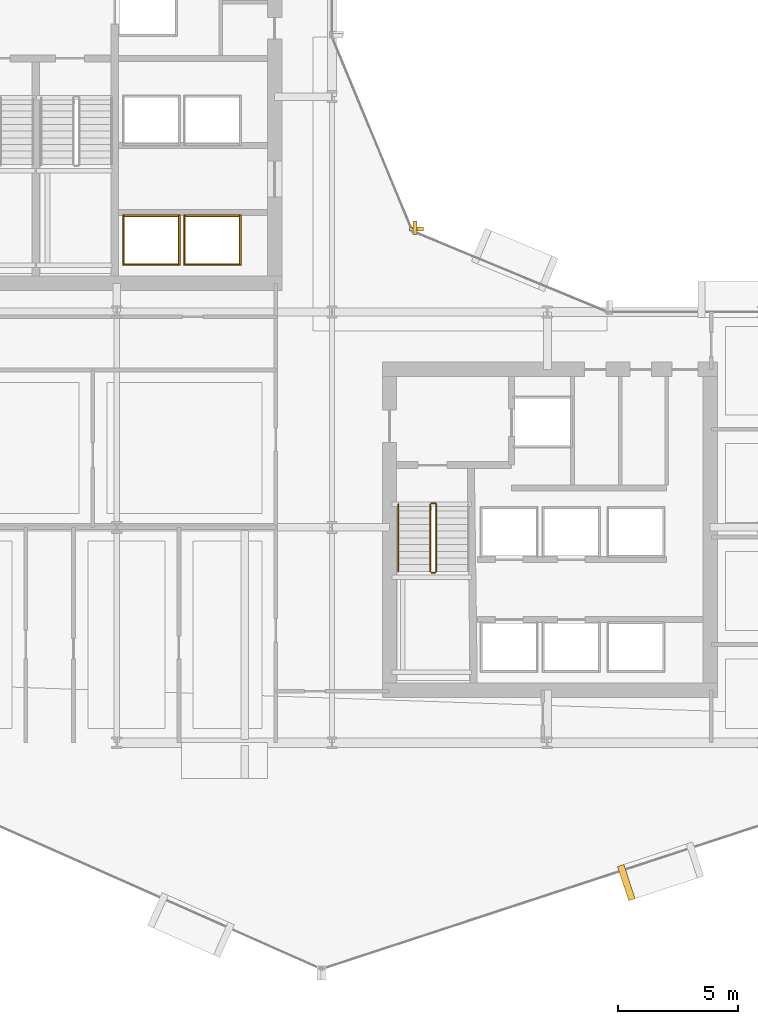
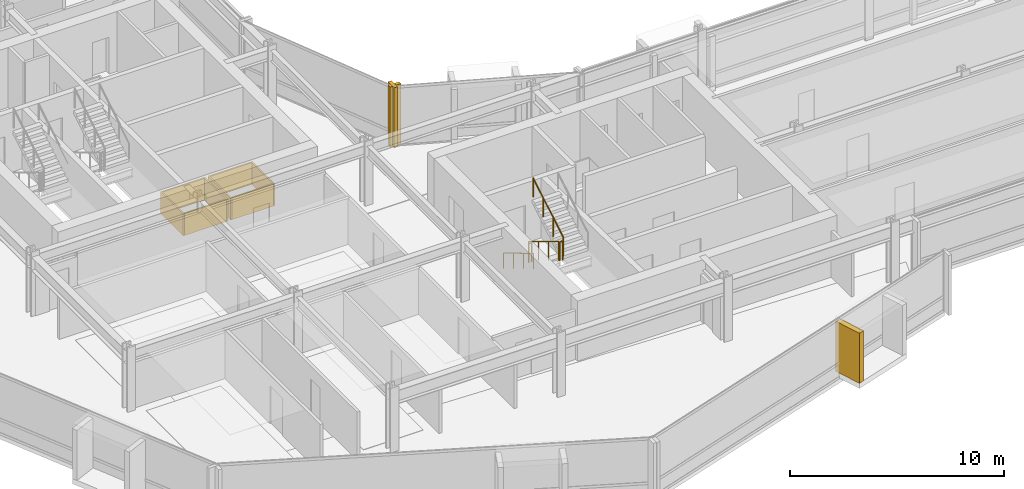
# One storey, part 31 of 34: 11 coverings, 5 railings.
"""IFC4 building model written with IfcOpenShell, lengths in metres."""

from ifc_helpers import new_model, si_unit, direction, frame, origin, origin_2d, place, context, subcontext, project, spatial, rectangle, circle, extrude, material, layer, layer_set, type_object, element, save


model = new_model("IFC4")

# Units and contexts
model_context = context("Model", 3, precision=1e-05, world=origin(), true_north=direction((0.0, 1.0)))
body_context = subcontext(model_context, "Body", "Model", "MODEL_VIEW")
ifc_project = project(units=[si_unit("LENGTHUNIT", "METRE"), si_unit("AREAUNIT", "SQUARE_METRE"), si_unit("VOLUMEUNIT", "CUBIC_METRE"), si_unit("PLANEANGLEUNIT", "RADIAN"), si_unit("MASSUNIT", "GRAM", prefix="KILO")], contexts=[model_context])

# Site, building, storey
site_placement = place(None, origin())
site = spatial("IfcSite", under=ifc_project, at=site_placement, CompositionType="ELEMENT")
building_placement = place(site_placement, origin())
building = spatial("IfcBuilding", under=site, at=building_placement, Name="Solvaryn Broadcast Tower", CompositionType="ELEMENT")
storey_placement = place(building_placement, frame((0.0, 0.0, 47.10009765625)))
storey = spatial("IfcBuildingStorey", under=building, at=storey_placement, Name="L10", CompositionType="ELEMENT", Elevation=47.10009765625)

# Coverings
ifc_material_1 = material(Name="Fire-Rated Gypsum Shaftwall Liner", Category="concrete")
ifc_layer_1 = layer(ifc_material_1, 0.080078125)
ifc_layer_set_1 = layer_set([ifc_layer_1], Name="CV-SHAFT-LINER")
covering_type_1 = type_object("IfcCoveringType", Name="CV-SHAFT-LINER", PredefinedType="CLADDING", material=ifc_layer_set_1)
for number, where, z_axis, x_axis, name in (
    (1, (19.449951171875, 31.014892578125, 0.0), (0.0, 0.0, 1.0), (1.0, 0.0, 0.0), "L10 PH1 Hoistway Shaft Liner North"),
    (2, (19.449951171875, 28.985107421875, 0.0), (0.0, 0.0, 1.0), (1.0, 0.0, 0.0), "L10 PH1 Hoistway Shaft Liner South"),
):
    element("IfcCovering", number, at=place(storey_placement, frame(where, z_axis=z_axis, x_axis=x_axis)), inside=storey, type_object=covering_type_1, Name=name, PredefinedType="CLADDING", context=body_context, shape_type="SweptSolid", body=[
        extrude(rectangle(XDim=2.409912109375, YDim=0.080078125, at=origin_2d()), origin(), (0.0, 0.0, 1.0), 1.25),
    ])
for number, where, z_axis, x_axis, name in (
    (3, (20.614990234375, 30.0, 0.0), (0.0, 0.0, 1.0), (1.0, 0.0, 0.0), "L10 PH1 Hoistway Shaft Liner East"),
    (4, (18.284912109375, 30.0, 0.0), (0.0, 0.0, 1.0), (1.0, 0.0, 0.0), "L10 PH1 Hoistway Shaft Liner West"),
):
    element("IfcCovering", number, at=place(storey_placement, frame(where, z_axis=z_axis, x_axis=x_axis)), inside=storey, type_object=covering_type_1, Name=name, PredefinedType="CLADDING", context=body_context, shape_type="SweptSolid", body=[
        extrude(rectangle(XDim=0.080078125, YDim=2.110107421875, at=origin_2d()), origin(), (0.0, 0.0, 1.0), 1.25),
    ])
for number, where, z_axis, x_axis, name in (
    (5, (22.0, 31.014892578125, 0.0), (0.0, 0.0, 1.0), (1.0, 0.0, 0.0), "L10 PH2 Hoistway Shaft Liner North"),
    (6, (22.0, 28.985107421875, 0.0), (0.0, 0.0, 1.0), (1.0, 0.0, 0.0), "L10 PH2 Hoistway Shaft Liner South"),
):
    element("IfcCovering", number, at=place(storey_placement, frame(where, z_axis=z_axis, x_axis=x_axis)), inside=storey, type_object=covering_type_1, Name=name, PredefinedType="CLADDING", context=body_context, shape_type="SweptSolid", body=[
        extrude(rectangle(XDim=2.409912109375, YDim=0.080078125, at=origin_2d()), origin(), (0.0, 0.0, 1.0), 1.25),
    ])
for number, where, z_axis, x_axis, name in (
    (7, (23.1650390625, 30.0, 0.0), (0.0, 0.0, 1.0), (1.0, 0.0, 0.0), "L10 PH2 Hoistway Shaft Liner East"),
    (8, (20.8349609375, 30.0, 0.0), (0.0, 0.0, 1.0), (1.0, 0.0, 0.0), "L10 PH2 Hoistway Shaft Liner West"),
):
    element("IfcCovering", number, at=place(storey_placement, frame(where, z_axis=z_axis, x_axis=x_axis)), inside=storey, type_object=covering_type_1, Name=name, PredefinedType="CLADDING", context=body_context, shape_type="SweptSolid", body=[
        extrude(rectangle(XDim=0.080078125, YDim=2.110107421875, at=origin_2d()), origin(), (0.0, 0.0, 1.0), 1.25),
    ])
ifc_material_2 = material(Name="Glazed Architectural Terracotta Rainscreen Cladding", Category="masonry")
ifc_layer_2 = layer(ifc_material_2, 0.280029296875)
ifc_layer_set_2 = layer_set([ifc_layer_2], Name="CV-TC-CLAD")
covering_type_2 = type_object("IfcCoveringType", Name="CV-TC-CLAD", PredefinedType="CLADDING", material=ifc_layer_set_2)
covering_1_placement = place(storey_placement, frame((39.298095703125, 3.155517578125, 0.27978515625), z_axis=(0.0, 0.0, 1.0), x_axis=(0.950189870912, 0.311671636848, 0.0)))
element("IfcCovering", 9, at=covering_1_placement, inside=storey, type_object=covering_type_2, Name="L10 Projecting Stone Window Box Cheek 4-1", PredefinedType="CLADDING", context=body_context, shape_type="SweptSolid", body=[
    extrude(rectangle(XDim=0.280029296875, YDim=1.5, at=origin_2d()), origin(), (0.0, 0.0, 1.0), 2.860107421875),
])
ifc_material_3 = material(Name="Extruded Architectural Terracotta Fin", Category="masonry")
ifc_layer_3 = layer(ifc_material_3, 0.179931640625)
ifc_layer_set_3 = layer_set([ifc_layer_3], Name="CV-TC-FIN")
covering_type_3 = type_object("IfcCoveringType", Name="CV-TC-FIN", PredefinedType="USERDEFINED", material=ifc_layer_set_3)
covering_2_placement = place(storey_placement, frame((30.464599609375, 30.52294921875, 0.0), z_axis=(0.0, 0.0, 1.0), x_axis=(1.0, 0.0, 0.0)))
element("IfcCovering", 10, at=covering_2_placement, inside=storey, type_object=covering_type_3, Name="L10 Terracotta Vertical Fin FIN-L10-CN1-M01", ObjectType="FIN", PredefinedType="USERDEFINED", context=body_context, shape_type="SweptSolid", body=[
    extrude(rectangle(XDim=0.179931640625, YDim=0.580078125, at=origin_2d()), origin(), (0.0, 0.0, 1.0), 3.419921875),
])
covering_3_placement = place(storey_placement, frame((30.52294921875, 30.464599609375, 0.0), z_axis=(0.0, 0.0, 1.0), x_axis=(1.0, 0.0, 0.0)))
element("IfcCovering", 11, at=covering_3_placement, inside=storey, type_object=covering_type_3, Name="L10 Terracotta Vertical Fin FIN-L10-CN2-M00", ObjectType="FIN", PredefinedType="USERDEFINED", context=body_context, shape_type="SweptSolid", body=[
    extrude(rectangle(XDim=0.580078125, YDim=0.179931640625, at=origin_2d()), origin(), (0.0, 0.0, 1.0), 3.419921875),
])

# Railings
ifc_material_4 = material(Name="Painted Steel Stair Well Guard", Category="steel")
railing_type_1 = type_object("IfcRailingType", Name="RL-STAIR-GUARD", PredefinedType="BALUSTRADE", material=ifc_material_4)
railing_1_placement = place(storey_placement, frame((31.110107421875, 18.9599609375, 0.16796875)))
element("IfcRailing", 12, at=railing_1_placement, inside=storey, type_object=railing_type_1, Name="L10 ST3 stair guard 1", PredefinedType="BALUSTRADE", context=body_context, shape_type="SweptSolid", body=[
    extrude(circle(Radius=0.02392578125, at=origin_2d()), frame((0.0, 0.0, 1.076171875), z_axis=(0.0, -0.857242210791, 0.514913383045), x_axis=(1.0, 0.0, 0.0)), (0.0, 0.0, 1.0), 3.266357421875),
    extrude(circle(Radius=0.02099609375, at=origin_2d()), origin(), (0.0, 0.0, 1.0), 1.052001953125),
    extrude(circle(Radius=0.02099609375, at=origin_2d()), frame((0.0, -0.933349609375, 0.560546875)), (0.0, 0.0, 1.0), 1.052001953125),
    extrude(circle(Radius=0.02099609375, at=origin_2d()), frame((0.0, -1.86669921875, 1.121337890625)), (0.0, 0.0, 1.0), 1.052001953125),
    extrude(circle(Radius=0.02099609375, at=origin_2d()), frame((0.0, -2.800048828125, 1.681884765625)), (0.0, 0.0, 1.0), 1.052001953125),
])
railing_2_placement = place(storey_placement, frame((31.159912109375, 16.110107421875, 1.849853515625)))
element("IfcRailing", 13, at=railing_2_placement, inside=storey, type_object=railing_type_1, Name="L10 ST3 stair guard 2", PredefinedType="BALUSTRADE", context=body_context, shape_type="SweptSolid", body=[
    extrude(circle(Radius=0.02392578125, at=origin_2d()), frame((0.0, 0.0, 1.076171875), z_axis=(1.0, 0.0, 0.0), x_axis=(0.0, 1.0, 0.0)), (0.0, 0.0, 1.0), 0.150146484375),
    extrude(circle(Radius=0.02099609375, at=origin_2d()), origin(), (0.0, 0.0, 1.0), 1.052001953125),
    extrude(circle(Radius=0.02099609375, at=origin_2d()), frame((0.150146484375, 0.0, 0.0)), (0.0, 0.0, 1.0), 1.052001953125),
])
railing_3_placement = place(storey_placement, frame((31.360107421875, 16.159912109375, 2.01806640625)))
element("IfcRailing", 14, at=railing_3_placement, inside=storey, type_object=railing_type_1, Name="L10 ST3 stair guard 3", PredefinedType="BALUSTRADE", context=body_context, shape_type="SweptSolid", body=[
    extrude(circle(Radius=0.02392578125, at=origin_2d()), frame((0.0, 0.0, 1.076171875), z_axis=(0.0, 0.857242210791, 0.514913383045), x_axis=(-1.0, 0.0, 0.0)), (0.0, 0.0, 1.0), 3.266357421875),
    extrude(circle(Radius=0.02099609375, at=origin_2d()), origin(), (0.0, 0.0, 1.0), 1.052001953125),
    extrude(circle(Radius=0.02099609375, at=origin_2d()), frame((0.0, 0.933349609375, 0.560546875)), (0.0, 0.0, 1.0), 1.052001953125),
    extrude(circle(Radius=0.02099609375, at=origin_2d()), frame((0.0, 1.86669921875, 1.121337890625)), (0.0, 0.0, 1.0), 1.052001953125),
    extrude(circle(Radius=0.02099609375, at=origin_2d()), frame((0.0, 2.800048828125, 1.681884765625)), (0.0, 0.0, 1.0), 1.052001953125),
])
railing_4_placement = place(storey_placement, frame((31.159912109375, 19.010009765625, 0.0)))
element("IfcRailing", 15, at=railing_4_placement, inside=storey, type_object=railing_type_1, Name="L10 ST3 stair guard 4", PredefinedType="BALUSTRADE", context=body_context, shape_type="SweptSolid", body=[
    extrude(circle(Radius=0.02392578125, at=origin_2d()), frame((0.0, 0.0, 1.076171875), z_axis=(1.0, 0.0, 0.0), x_axis=(0.0, 1.0, 0.0)), (0.0, 0.0, 1.0), 0.150146484375),
    extrude(circle(Radius=0.02099609375, at=origin_2d()), origin(), (0.0, 0.0, 1.0), 1.052001953125),
    extrude(circle(Radius=0.02099609375, at=origin_2d()), frame((0.150146484375, 0.0, 0.0)), (0.0, 0.0, 1.0), 1.052001953125),
])
ifc_material_5 = material(Name="Brushed Stainless Steel Tubular Handrail", Category="steel")
railing_type_2 = type_object("IfcRailingType", Name="RL-STAIR-HANDRAIL", PredefinedType="HANDRAIL", material=ifc_material_5)
railing_5_placement = place(storey_placement, frame((29.77001953125, 18.9599609375, 0.16796875)))
element("IfcRailing", 16, at=railing_5_placement, inside=storey, type_object=railing_type_2, Name="L10 ST3 stair handrail 1", PredefinedType="HANDRAIL", context=body_context, shape_type="SweptSolid", body=[
    extrude(circle(Radius=0.02392578125, at=origin_2d()), frame((0.0, 0.0, 0.8759765625), z_axis=(0.0, -0.857242210791, 0.514913383045), x_axis=(1.0, 0.0, 0.0)), (0.0, 0.0, 1.0), 3.266357421875),
    extrude(circle(Radius=0.02099609375, at=origin_2d()), origin(), (0.0, 0.0, 1.0), 0.851806640625),
    extrude(circle(Radius=0.02099609375, at=origin_2d()), frame((0.0, -0.933349609375, 0.560546875)), (0.0, 0.0, 1.0), 0.851806640625),
    extrude(circle(Radius=0.02099609375, at=origin_2d()), frame((0.0, -1.86669921875, 1.121337890625)), (0.0, 0.0, 1.0), 0.851806640625),
    extrude(circle(Radius=0.02099609375, at=origin_2d()), frame((0.0, -2.800048828125, 1.681884765625)), (0.0, 0.0, 1.0), 0.851806640625),
])

save(model, "model.ifc")
